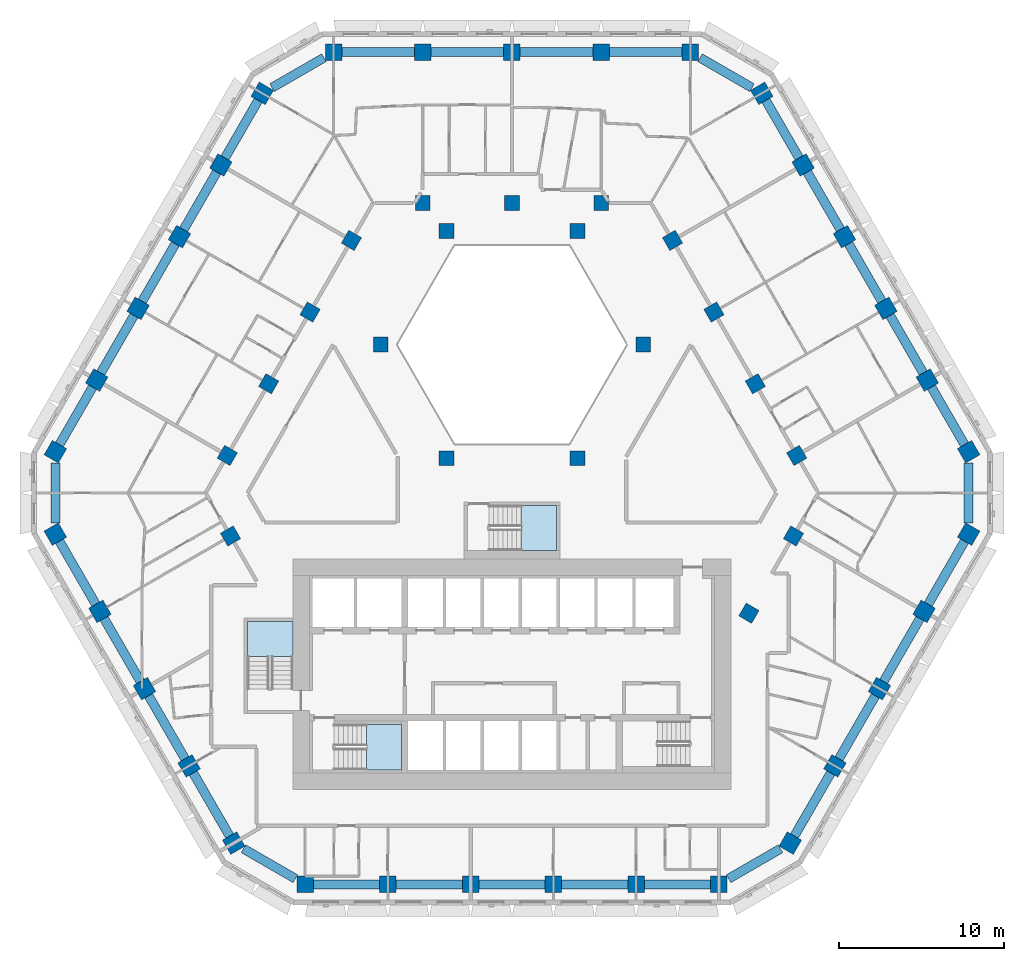
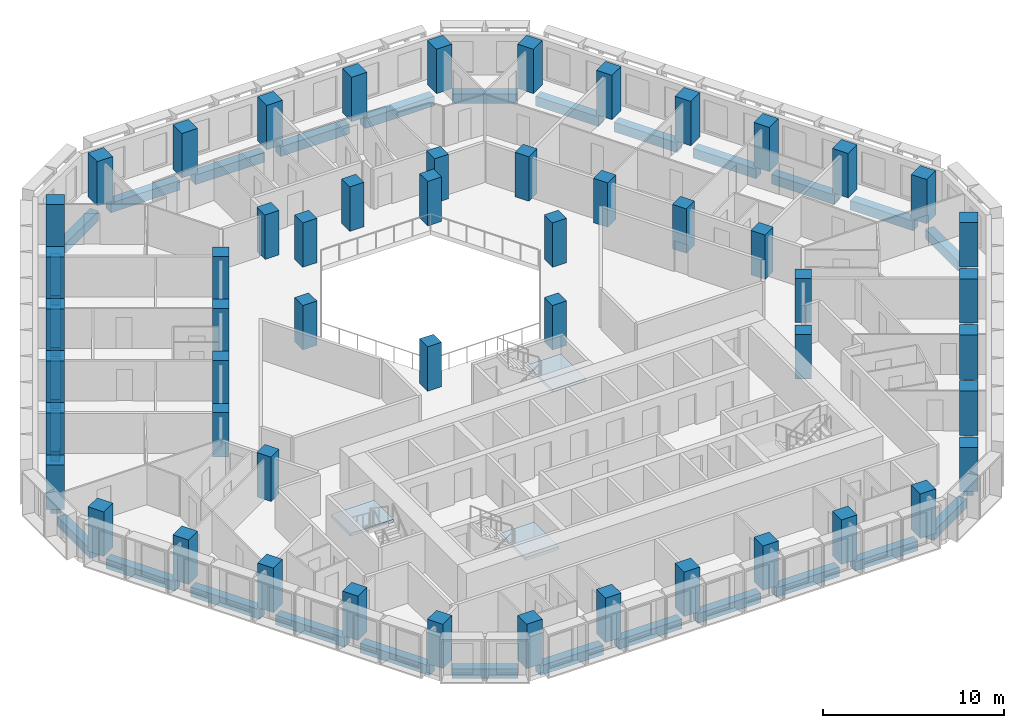
# One storey, part 1 of 18: 53 columns, 33 beams, 3 slabs, 3 elements without a shape of their own.
"""IFC4 building model written with IfcOpenShell, lengths in metres."""

import ifcopenshell
import ifcopenshell.guid

model = None  # the IFC model being written
_history = None  # IfcOwnerHistory: only IFC2X3 demands one
_inside = {}  # id of a spatial element -> (the spatial element, [elements in it])
_under = {}  # id of a project, library or spatial element -> (it, [spatial elements below it])
_declared = {}  # id of a project -> (the project, [libraries it declares])
_typed = {}  # id of a type object -> (the type object, [elements of that type])
_made_of = {}  # id of a material, layer set ... -> (it, [elements and type objects made of it])


def new_model(schema):
    """Start an empty IFC model of exactly this schema.

    Asked for "IFC4X3", IfcOpenShell would pick the latest addendum, in which some entities
    have other attributes; the version numbers below select the first issue.
    IFC2X3 requires an IfcOwnerHistory on every rooted entity: one is made here for all.
    """
    global model, _history
    if schema == "IFC4X3":
        model = ifcopenshell.file(schema_version=(4, 3, 0, 0))
    else:
        model = ifcopenshell.file(schema=schema)
    _inside.clear()
    _under.clear()
    _declared.clear()
    _typed.clear()
    _made_of.clear()
    _history = None
    if model.schema == "IFC2X3":
        org = make("IfcOrganization", Name="unknown")
        user = make(
            "IfcPersonAndOrganization",
            ThePerson=make("IfcPerson", FamilyName="unknown"),
            TheOrganization=org,
        )
        app = make(
            "IfcApplication",
            ApplicationDeveloper=org,
            Version="unknown",
            ApplicationFullName="unknown",
            ApplicationIdentifier="unknown",
        )
        _history = make(
            "IfcOwnerHistory",
            OwningUser=user,
            OwningApplication=app,
            ChangeAction="ADDED",
            CreationDate=0,
        )
    return model


def make(cls, **values):
    """One entity of the class cls with the attributes given. An attribute that is None is left unset."""
    return model.create_entity(
        cls, **{name: value for name, value in values.items() if value is not None}
    )


def rooted(cls, **values):
    """An entity with a GlobalId (a new one), such as an element, a storey or a relation."""
    return make(cls, GlobalId=ifcopenshell.guid.new(), OwnerHistory=_history, **values)


def si_unit(unit_type, name, prefix=None):
    """IfcSIUnit, for example si_unit("LENGTHUNIT", "METRE", prefix="MILLI")."""
    return make("IfcSIUnit", UnitType=unit_type, Prefix=prefix, Name=name)


def assignment(units):
    """IfcUnitAssignment: the units of a project."""
    return None if units is None else make("IfcUnitAssignment", Units=units)


def point(xyz):
    """IfcCartesianPoint."""
    return None if xyz is None else make("IfcCartesianPoint", Coordinates=xyz)


def direction(xyz):
    """IfcDirection."""
    return None if xyz is None else make("IfcDirection", DirectionRatios=xyz)


def frame(location, z_axis=None, x_axis=None):
    """IfcAxis2Placement3D, a coordinate frame: its origin and axes. An axis left out is left unset."""
    return make(
        "IfcAxis2Placement3D",
        Location=point(location),
        Axis=direction(z_axis),
        RefDirection=direction(x_axis),
    )


def frame_2d(location, x_axis=None):
    """IfcAxis2Placement2D, a coordinate frame in the plane: its origin and x axis."""
    return make(
        "IfcAxis2Placement2D", Location=point(location), RefDirection=direction(x_axis)
    )


def origin():
    """The frame at (0, 0, 0) with its axes left unset."""
    return frame((0.0, 0.0, 0.0))


def origin_2d():
    """The frame at (0, 0) in the plane with its x axis left unset."""
    return frame_2d((0.0, 0.0))


def place(relative_to, where):
    """IfcLocalPlacement: puts the frame where relative to a parent placement (None: the world)."""
    return make(
        "IfcLocalPlacement", PlacementRelTo=relative_to, RelativePlacement=where
    )


def context(
    kind, dimensions, precision=None, world=None, true_north=None, identifier=None
):
    """IfcGeometricRepresentationContext, for example the 3D "Model" context."""
    return make(
        "IfcGeometricRepresentationContext",
        ContextIdentifier=identifier,
        ContextType=kind,
        CoordinateSpaceDimension=dimensions,
        Precision=precision,
        WorldCoordinateSystem=world,
        TrueNorth=true_north,
    )


def subcontext(parent, identifier, kind, view, scale=None):
    """IfcGeometricRepresentationSubContext, for example "Body" below "Model"."""
    return make(
        "IfcGeometricRepresentationSubContext",
        ContextIdentifier=identifier,
        ContextType=kind,
        ParentContext=parent,
        TargetScale=scale,
        TargetView=view,
    )


def project(units=None, contexts=None):
    """IfcProject with its units and contexts."""
    return rooted(
        "IfcProject",
        Name="project",
        RepresentationContexts=contexts,
        UnitsInContext=assignment(units),
    )


def spatial(cls, under=None, at=None, **own):
    """A site, building, storey or space (cls), placed at a placement, below another one or the project."""
    s = rooted(cls, ObjectPlacement=at, **own)
    if under is not None:
        _under.setdefault(under.id(), (under, []))[1].append(s)
    return s


def polyline(points):
    """IfcPolyline through the points."""
    return make("IfcPolyline", Points=[point(p) for p in points])


def profile(cls, at=None, kind="AREA", **sizes):
    """A parametric profile (cls). Its sizes go by their IFC names, for example OverallWidth=200.0."""
    return make(cls, ProfileType=kind, Position=at, **sizes)


def rectangle(**sizes):
    """IfcRectangleProfileDef."""
    return profile("IfcRectangleProfileDef", **sizes)


def outline(outer, holes=None, kind="AREA"):
    """IfcArbitraryClosedProfileDef: a profile drawn as a closed curve; with holes, ...WithVoids."""
    if holes is None:
        return make("IfcArbitraryClosedProfileDef", ProfileType=kind, OuterCurve=outer)
    return make(
        "IfcArbitraryProfileDefWithVoids",
        ProfileType=kind,
        OuterCurve=outer,
        InnerCurves=holes,
    )


def extrude(swept, where, along, depth):
    """IfcExtrudedAreaSolid: the profile swept, set in the frame where, extruded along a direction by depth."""
    return make(
        "IfcExtrudedAreaSolid",
        SweptArea=swept,
        Position=where,
        ExtrudedDirection=direction(along),
        Depth=depth,
    )


def shape(context_of_items, identifier, shape_type, items):
    """IfcShapeRepresentation: the items that make up one representation, for example the "Body"."""
    return make(
        "IfcShapeRepresentation",
        ContextOfItems=context_of_items,
        RepresentationIdentifier=identifier,
        RepresentationType=shape_type,
        Items=items,
    )


def material(Name=None, Category=None):
    """IfcMaterial."""
    return make("IfcMaterial", Name=Name, Category=Category)


def layer(
    of_material, thickness, ventilated=None, Name=None, Category=None, Priority=None
):
    """IfcMaterialLayer: one layer of a wall or slab, of a material (None: an air gap)."""
    return make(
        "IfcMaterialLayer",
        Material=of_material,
        LayerThickness=thickness,
        IsVentilated=ventilated,
        Name=Name,
        Category=Category,
        Priority=Priority,
    )


def layer_set(layers, Name=None):
    """IfcMaterialLayerSet."""
    return make("IfcMaterialLayerSet", MaterialLayers=layers, LayerSetName=Name)


def material_profile(
    of_material, cross_section, Name=None, Category=None, Priority=None
):
    """IfcMaterialProfile: a cross section and its material."""
    return make(
        "IfcMaterialProfile",
        Name=Name,
        Material=of_material,
        Profile=cross_section,
        Priority=Priority,
        Category=Category,
    )


def profile_set(profiles, Name=None, composite=None):
    """IfcMaterialProfileSet."""
    return make(
        "IfcMaterialProfileSet",
        Name=Name,
        MaterialProfiles=profiles,
        CompositeProfile=composite,
    )


def made_of(thing, what):
    """Note that an element or type object is made of a material, layer set ...; save() writes the relation."""
    if what is not None:
        _made_of.setdefault(what.id(), (what, []))[1].append(thing)
    return thing


def type_object(cls, material=None, **own):
    """A type object (cls), such as IfcWallType, which elements share."""
    return made_of(rooted(cls, **own), material)


def element(
    cls,
    number,
    at=None,
    inside=None,
    cuts=None,
    type_object=None,
    material=None,
    context=None,
    identifier="Body",
    shape_type=None,
    held_by="IfcProductDefinitionShape",
    body=None,
    shapes=None,
    **own,
):
    """One element of the class cls, such as IfcWall. Its Tag is "e" and its number.

    at: its placement. inside: the storey or other place that contains it. cuts: it is an
    opening in that element (IfcRelVoidsElement). A single representation is given by context,
    identifier, shape_type and body (its items); several are given by shapes. held_by: the class
    of the entity that holds the representations. save() writes the other relations.
    """
    e = rooted(cls, Tag="e%d" % number, ObjectPlacement=at, **own)
    if body is not None:
        shapes = [shape(context, identifier, shape_type, body)]
    if shapes is not None:
        e.Representation = make(held_by, Representations=shapes)
    if inside is not None:
        _inside.setdefault(inside.id(), (inside, []))[1].append(e)
    if cuts is not None:
        rooted(
            "IfcRelVoidsElement", RelatingBuildingElement=cuts, RelatedOpeningElement=e
        )
    if type_object is not None:
        _typed.setdefault(type_object.id(), (type_object, []))[1].append(e)
    return made_of(e, material)


def aggregate(whole, parts):
    """IfcRelAggregates: a whole, such as a stair, and the parts it consists of."""
    return rooted("IfcRelAggregates", RelatingObject=whole, RelatedObjects=parts)


def save(model, path):
    """Write the relations noted so far, then the file.

    IfcRelAggregates (storeys below a building ...), IfcRelContainedInSpatialStructure (elements
    in a storey), IfcRelDefinesByType, IfcRelAssociatesMaterial and IfcRelDeclares: one each for
    every whole, place, type object, material and project.
    """
    for whole, parts in _under.values():
        aggregate(whole, parts)
    for where, things in _inside.values():
        rooted(
            "IfcRelContainedInSpatialStructure",
            RelatedElements=things,
            RelatingStructure=where,
        )
    for kind, things in _typed.values():
        rooted("IfcRelDefinesByType", RelatedObjects=things, RelatingType=kind)
    for what, things in _made_of.values():
        rooted("IfcRelAssociatesMaterial", RelatedObjects=things, RelatingMaterial=what)
    for by, libraries in _declared.values():
        rooted("IfcRelDeclares", RelatingContext=by, RelatedDefinitions=libraries)
    model.write(path)


model = new_model("IFC4")

# Units and contexts
model_context = context("Model", 3, precision=1e-05, world=origin(), true_north=direction((0.0, 1.0)))
body_context = subcontext(model_context, "Body", "Model", "MODEL_VIEW")
ifc_project = project(units=[si_unit("LENGTHUNIT", "METRE"), si_unit("AREAUNIT", "SQUARE_METRE"), si_unit("VOLUMEUNIT", "CUBIC_METRE"), si_unit("PLANEANGLEUNIT", "RADIAN"), si_unit("MASSUNIT", "GRAM", prefix="KILO")], contexts=[model_context])

# Site, building, storey
site_placement = place(None, origin())
site = spatial("IfcSite", under=ifc_project, at=site_placement, CompositionType="ELEMENT")
building_placement = place(site_placement, origin())
building = spatial("IfcBuilding", under=site, at=building_placement, Name="Beryl Residences", CompositionType="ELEMENT")
storey_placement = place(building_placement, frame((0.0, 0.0, 87.0)))
storey = spatial("IfcBuildingStorey", under=building, at=storey_placement, Name="L26", CompositionType="ELEMENT", Elevation=87.0)

# Columns
ifc_material_1 = material(Name="Concrete C70/85", Category="concrete")
ifc_material_profile_1 = material_profile(ifc_material_1, rectangle(XDim=1.0, YDim=1.0, at=origin_2d()))
ifc_profile_set_1 = profile_set([ifc_material_profile_1], Name="Concrete C70/85")
column_type_1 = type_object("IfcColumnType", Name="C2 tube column 1000 x 1000 C70/85", PredefinedType="COLUMN", material=ifc_profile_set_1)
for number, where, z_axis, x_axis, name in (
    (1, (10.824951171875, 25.75, 0.0), (0.0, 0.0, 1.0), (-1.0, 0.0, 0.0), "C2-N1 L26"),
    (2, (5.412109375, 25.75, 0.0), (0.0, 0.0, 1.0), (-1.0, 0.0, 0.0), "C2-N2 L26"),
    (3, (-0.0009765625, 25.75, 0.0), (0.0, 0.0, 1.0), (-1.0, 0.0, 0.0), "C2-N3 L26"),
    (4, (-5.4140625, 25.75, 0.0), (0.0, 0.0, 1.0), (-1.0, 0.0, 0.0), "C2-N4 L26"),
    (5, (-10.826904296875, 25.75, 0.0), (0.0, 0.0, 1.0), (-1.0, 0.0, 0.0), "C2-N5 L26"),
    (6, (-15.155029296875, 23.2509765625, 0.0), (0.0, 0.0, 1.0), (-0.5, -0.866025403784, 0.0), "C2-NW1 L26"),
    (7, (-17.6669921875, 18.89990234375, 0.0), (0.0, 0.0, 1.0), (-0.5, -0.866025403784, 0.0), "C2-NW2 L26"),
    (8, (-20.177978515625, 14.550048828125, 0.0), (0.0, 0.0, 1.0), (-0.5, -0.866025403784, 0.0), "C2-NW3 L26"),
    (9, (-22.68994140625, 10.199951171875, 0.0), (0.0, 0.0, 1.0), (-0.5, -0.866025403784, 0.0), "C2-NW4 L26"),
    (10, (-25.201904296875, 5.85009765625, 0.0), (0.0, 0.0, 1.0), (-0.5, -0.866025403784, 0.0), "C2-NW5 L26"),
    (11, (-27.712890625, 1.5, 0.0), (0.0, 0.0, 1.0), (-0.5, -0.866025403784, 0.0), "C2-NW6 L26"),
    (12, (-27.714111328125, -3.4990234375, 0.0), (0.0, 0.0, 1.0), (0.5, -0.866025403784, 0.0), "C2-SW1 L26"),
    (13, (-25.007080078125, -8.18701171875, 0.0), (0.0, 0.0, 1.0), (0.5, -0.866025403784, 0.0), "C2-SW2 L26"),
    (14, (-22.300048828125, -12.875, 0.0), (0.0, 0.0, 1.0), (0.5, -0.866025403784, 0.0), "C2-SW3 L26"),
    (15, (-19.593994140625, -17.56298828125, 0.0), (0.0, 0.0, 1.0), (0.5, -0.866025403784, 0.0), "C2-SW4 L26"),
    (16, (-16.886962890625, -22.2509765625, 0.0), (0.0, 0.0, 1.0), (0.5, -0.866025403784, 0.0), "C2-SW5 L26"),
    (17, (-12.556884765625, -24.75, 0.0), (0.0, 0.0, 1.0), (1.0, 0.0, 0.0), "C2-S1 L26"),
    (18, (-7.533935546875, -24.75, 0.0), (0.0, 0.0, 1.0), (1.0, 0.0, 0.0), "C2-S2 L26"),
    (19, (-2.510986328125, -24.75, 0.0), (0.0, 0.0, 1.0), (1.0, 0.0, 0.0), "C2-S3 L26"),
    (20, (2.511962890625, -24.75, 0.0), (0.0, 0.0, 1.0), (1.0, 0.0, 0.0), "C2-S4 L26"),
    (21, (7.534912109375, -24.75, 0.0), (0.0, 0.0, 1.0), (1.0, 0.0, 0.0), "C2-S5 L26"),
    (22, (12.55810546875, -24.75, 0.0), (0.0, 0.0, 1.0), (1.0, 0.0, 0.0), "C2-S6 L26"),
    (23, (16.886962890625, -22.2509765625, 0.0), (0.0, 0.0, 1.0), (0.5, 0.866025403784, 0.0), "C2-SE1 L26"),
    (24, (19.593994140625, -17.56298828125, 0.0), (0.0, 0.0, 1.0), (0.5, 0.866025403784, 0.0), "C2-SE2 L26"),
    (25, (22.300048828125, -12.875, 0.0), (0.0, 0.0, 1.0), (0.5, 0.866025403784, 0.0), "C2-SE3 L26"),
    (26, (25.007080078125, -8.18701171875, 0.0), (0.0, 0.0, 1.0), (0.5, 0.866025403784, 0.0), "C2-SE4 L26"),
    (27, (27.714111328125, -3.4990234375, 0.0), (0.0, 0.0, 1.0), (0.5, 0.866025403784, 0.0), "C2-SE5 L26"),
    (28, (27.714111328125, 1.4990234375, 0.0), (0.0, 0.0, 1.0), (-0.5, 0.866025403784, 0.0), "C2-NE1 L26"),
    (29, (25.201904296875, 5.85009765625, 0.0), (0.0, 0.0, 1.0), (-0.5, 0.866025403784, 0.0), "C2-NE2 L26"),
    (30, (22.68994140625, 10.199951171875, 0.0), (0.0, 0.0, 1.0), (-0.5, 0.866025403784, 0.0), "C2-NE3 L26"),
    (31, (20.178955078125, 14.550048828125, 0.0), (0.0, 0.0, 1.0), (-0.5, 0.866025403784, 0.0), "C2-NE4 L26"),
    (32, (17.6669921875, 18.89990234375, 0.0), (0.0, 0.0, 1.0), (-0.5, 0.866025403784, 0.0), "C2-NE5 L26"),
    (33, (15.156005859375, 23.25, 0.0), (0.0, 0.0, 1.0), (-0.5, 0.866025403784, 0.0), "C2-NE6 L26"),
):
    element("IfcColumn", number, at=place(storey_placement, frame(where, z_axis=z_axis, x_axis=x_axis)), inside=storey, type_object=column_type_1, Name=name, PredefinedType="COLUMN", context=body_context, shape_type="SweptSolid", body=[
        extrude(rectangle(XDim=1.0, YDim=1.0, at=origin_2d()), origin(), (0.0, 0.0, 1.0), 3.0),
    ])
ifc_material_2 = material(Name="Concrete C70/85", Category="concrete")
ifc_material_profile_2 = material_profile(ifc_material_2, rectangle(XDim=0.89990234375, YDim=0.89990234375, at=origin_2d()))
ifc_profile_set_2 = profile_set([ifc_material_profile_2], Name="Concrete C70/85")
column_type_2 = type_object("IfcColumnType", Name="IC2 interior column 900 x 900 C70/85", PredefinedType="COLUMN", material=ifc_profile_set_2)
for number, where, z_axis, x_axis, name in (
    (34, (-17.0830078125, -3.612060546875, 0.0), (0.0, 0.0, 1.0), (0.5, -0.866025403784, 0.0), "IC2-M01 L26"),
    (35, (14.3759765625, -8.300048828125, 0.0), (0.0, 0.0, 1.0), (0.5, 0.866025403784, 0.0), "IC2-M02 L26"),
    (36, (17.0830078125, -3.612060546875, 0.0), (0.0, 0.0, 1.0), (0.5, 0.866025403784, 0.0), "IC2-M03 L26"),
    (37, (17.278076171875, 1.27392578125, 0.0), (0.0, 0.0, 1.0), (-0.5, 0.866025403784, 0.0), "IC2-M04 L26"),
    (38, (3.98388671875, 1.10009765625, 0.0), (0.0, 0.0, 1.0), (1.0, 0.0, 0.0), "IC2-A05 L26"),
    (39, (14.76611328125, 5.625, 0.0), (0.0, 0.0, 1.0), (-0.5, 0.866025403784, 0.0), "IC2-M06 L26"),
    (40, (12.2548828125, 9.97509765625, 0.0), (0.0, 0.0, 1.0), (-0.5, 0.866025403784, 0.0), "IC2-M07 L26"),
    (41, (7.967041015625, 8.0, 0.0), (0.0, 0.0, 1.0), (1.0, 0.0, 0.0), "IC2-A08 L26"),
    (42, (9.742919921875, 14.324951171875, 0.0), (0.0, 0.0, 1.0), (-0.5, 0.866025403784, 0.0), "IC2-M09 L26"),
    (43, (5.412109375, 16.60009765625, 0.0), (0.0, 0.0, 1.0), (-1.0, 0.0, 0.0), "IC2-M10 L26"),
    (44, (3.98388671875, 14.89990234375, 0.0), (0.0, 0.0, 1.0), (1.0, 0.0, 0.0), "IC2-A11 L26"),
    (45, (-0.0009765625, 16.60009765625, 0.0), (0.0, 0.0, 1.0), (-1.0, 0.0, 0.0), "IC2-M12 L26"),
    (46, (-3.98388671875, 14.89990234375, 0.0), (0.0, 0.0, 1.0), (1.0, 0.0, 0.0), "IC2-A13 L26"),
    (47, (-5.4140625, 16.60009765625, 0.0), (0.0, 0.0, 1.0), (-1.0, 0.0, 0.0), "IC2-M14 L26"),
    (48, (-9.742919921875, 14.324951171875, 0.0), (0.0, 0.0, 1.0), (-0.5, -0.866025403784, 0.0), "IC2-M15 L26"),
    (49, (-7.967041015625, 8.0, 0.0), (0.0, 0.0, 1.0), (1.0, 0.0, 0.0), "IC2-A16 L26"),
    (50, (-12.25390625, 9.97509765625, 0.0), (0.0, 0.0, 1.0), (-0.5, -0.866025403784, 0.0), "IC2-M17 L26"),
    (51, (-14.76611328125, 5.625, 0.0), (0.0, 0.0, 1.0), (-0.5, -0.866025403784, 0.0), "IC2-M18 L26"),
    (52, (-3.98388671875, 1.10009765625, 0.0), (0.0, 0.0, 1.0), (1.0, 0.0, 0.0), "IC2-A19 L26"),
    (53, (-17.277099609375, 1.27490234375, 0.0), (0.0, 0.0, 1.0), (-0.5, -0.866025403784, 0.0), "IC2-M20 L26"),
):
    element("IfcColumn", number, at=place(storey_placement, frame(where, z_axis=z_axis, x_axis=x_axis)), inside=storey, type_object=column_type_2, Name=name, PredefinedType="COLUMN", context=body_context, shape_type="SweptSolid", body=[
        extrude(rectangle(XDim=0.89990234375, YDim=0.89990234375, at=origin_2d()), origin(), (0.0, 0.0, 1.0), 3.0),
    ])

# Beams
ifc_material_3 = material(Name="Concrete C70/85", Category="concrete")
ifc_material_profile_3 = material_profile(ifc_material_3, rectangle(XDim=0.550048828125, YDim=0.64990234375, at=origin_2d()))
ifc_profile_set_3 = profile_set([ifc_material_profile_3], Name="Concrete C70/85")
beam_type = type_object("IfcBeamType", Name="SB2 spandrel beam 550 x 650 C70/85", PredefinedType="SPANDREL", material=ifc_profile_set_3)
beam_1_placement = place(storey_placement, frame((10.324951171875, 25.75, -0.625), z_axis=(-1.0, 0.0, 0.0), x_axis=(0.0, -1.0, 0.0)))
element("IfcBeam", 54, at=beam_1_placement, inside=storey, type_object=beam_type, Name="SB2 L26 N-0", PredefinedType="SPANDREL", context=body_context, shape_type="SweptSolid", body=[
    extrude(rectangle(XDim=0.550048828125, YDim=0.64990234375, at=origin_2d()), origin(), (0.0, 0.0, 1.0), 4.412841796875),
])
for number, where, z_axis, x_axis, name in (
    (55, (4.912109375, 25.75, -0.625), (-1.0, 0.0, 0.0), (0.0, -1.0, 0.0), "SB2 L26 N-1"),
    (56, (-0.5009765625, 25.75, -0.625), (-1.0, 0.0, 0.0), (0.0, -1.0, 0.0), "SB2 L26 N-2"),
):
    element("IfcBeam", number, at=place(storey_placement, frame(where, z_axis=z_axis, x_axis=x_axis)), inside=storey, type_object=beam_type, Name=name, PredefinedType="SPANDREL", context=body_context, shape_type="SweptSolid", body=[
        extrude(rectangle(XDim=0.550048828125, YDim=0.64990234375, at=origin_2d()), origin(), (0.0, 0.0, 1.0), 4.4130859375),
    ])
beam_2_placement = place(storey_placement, frame((-5.9140625, 25.75, -0.625), z_axis=(-1.0, 0.0, 0.0), x_axis=(0.0, -1.0, 0.0)))
element("IfcBeam", 57, at=beam_2_placement, inside=storey, type_object=beam_type, Name="SB2 L26 N-3", PredefinedType="SPANDREL", context=body_context, shape_type="SweptSolid", body=[
    extrude(rectangle(XDim=0.550048828125, YDim=0.64990234375, at=origin_2d()), origin(), (0.0, 0.0, 1.0), 4.412841796875),
])
beam_3_placement = place(storey_placement, frame((-11.41796875, 25.408935546875, -0.625), z_axis=(-0.865959503272, -0.500114125668, 0.0), x_axis=(0.500114125668, -0.865959503272, 0.0)))
element("IfcBeam", 58, at=beam_3_placement, inside=storey, type_object=beam_type, Name="SB2 L26 N-4", PredefinedType="SPANDREL", context=body_context, shape_type="SweptSolid", body=[
    extrude(rectangle(XDim=0.550048828125, YDim=0.64990234375, at=origin_2d()), origin(), (0.0, 0.0, 1.0), 3.633056640625),
])
beam_4_placement = place(storey_placement, frame((-15.405029296875, 22.818115234375, -0.625), z_axis=(-0.49996928203, -0.866043138087, 0.0), x_axis=(0.866043138087, -0.49996928203, 0.0)))
element("IfcBeam", 59, at=beam_4_placement, inside=storey, type_object=beam_type, Name="SB2 L26 NW-0", PredefinedType="SPANDREL", context=body_context, shape_type="SweptSolid", body=[
    extrude(rectangle(XDim=0.550048828125, YDim=0.64990234375, at=origin_2d()), origin(), (0.0, 0.0, 1.0), 4.024169921875),
])
beam_5_placement = place(storey_placement, frame((-17.9169921875, 18.467041015625, -0.625), z_axis=(-0.499892318183, -0.866087564985, 0.0), x_axis=(0.866087564985, -0.499892318183, 0.0)))
element("IfcBeam", 60, at=beam_5_placement, inside=storey, type_object=beam_type, Name="SB2 L26 NW-1", PredefinedType="SPANDREL", context=body_context, shape_type="SweptSolid", body=[
    extrude(rectangle(XDim=0.550048828125, YDim=0.64990234375, at=origin_2d()), origin(), (0.0, 0.0, 1.0), 4.02294921875),
])
beam_6_placement = place(storey_placement, frame((-20.427978515625, 14.116943359375, -0.625), z_axis=(-0.500100656611, -0.865967281863, 0.0), x_axis=(0.865967281863, -0.500100656611, 0.0)))
element("IfcBeam", 61, at=beam_6_placement, inside=storey, type_object=beam_type, Name="SB2 L26 NW-2", PredefinedType="SPANDREL", context=body_context, shape_type="SweptSolid", body=[
    extrude(rectangle(XDim=0.550048828125, YDim=0.64990234375, at=origin_2d()), origin(), (0.0, 0.0, 1.0), 4.023193359375),
])
beam_7_placement = place(storey_placement, frame((-22.93994140625, 9.76708984375, -0.625), z_axis=(-0.500074377092, -0.865982457891, 0.0), x_axis=(0.865982457891, -0.500074377092, 0.0)))
element("IfcBeam", 62, at=beam_7_placement, inside=storey, type_object=beam_type, Name="SB2 L26 NW-3", PredefinedType="SPANDREL", context=body_context, shape_type="SweptSolid", body=[
    extrude(rectangle(XDim=0.550048828125, YDim=0.64990234375, at=origin_2d()), origin(), (0.0, 0.0, 1.0), 4.0234375),
])
beam_8_placement = place(storey_placement, frame((-25.451904296875, 5.4169921875, -0.625), z_axis=(-0.499918594511, -0.866072398164, 0.0), x_axis=(0.866072398164, -0.499918594511, 0.0)))
element("IfcBeam", 63, at=beam_8_placement, inside=storey, type_object=beam_type, Name="SB2 L26 NW-4", PredefinedType="SPANDREL", context=body_context, shape_type="SweptSolid", body=[
    extrude(rectangle(XDim=0.550048828125, YDim=0.64990234375, at=origin_2d()), origin(), (0.0, 0.0, 1.0), 4.022705078125),
])
beam_9_placement = place(storey_placement, frame((-27.712890625, 0.81689453125, -0.625), z_axis=(-0.000336021486, -0.999999943545, 0.0), x_axis=(0.999999943545, -0.000336021486, 0.0)))
element("IfcBeam", 64, at=beam_9_placement, inside=storey, type_object=beam_type, Name="SB2 L26 NW-5", PredefinedType="SPANDREL", context=body_context, shape_type="SweptSolid", body=[
    extrude(rectangle(XDim=0.550048828125, YDim=0.64990234375, at=origin_2d()), origin(), (0.0, 0.0, 1.0), 3.6328125),
])
beam_10_placement = place(storey_placement, frame((-27.464111328125, -3.931884765625, -0.625), z_axis=(0.50006561292, -0.865987518834, 0.0), x_axis=(0.865987518834, 0.50006561292, 0.0)))
element("IfcBeam", 65, at=beam_10_placement, inside=storey, type_object=beam_type, Name="SB2 L26 SW-0", PredefinedType="SPANDREL", context=body_context, shape_type="SweptSolid", body=[
    extrude(rectangle(XDim=0.550048828125, YDim=0.64990234375, at=origin_2d()), origin(), (0.0, 0.0, 1.0), 4.41357421875),
])
beam_11_placement = place(storey_placement, frame((-24.757080078125, -8.6201171875, -0.625), z_axis=(0.500089568931, -0.865973684962, 0.0), x_axis=(0.865973684962, 0.500089568931, 0.0)))
element("IfcBeam", 66, at=beam_11_placement, inside=storey, type_object=beam_type, Name="SB2 L26 SW-1", PredefinedType="SPANDREL", context=body_context, shape_type="SweptSolid", body=[
    extrude(rectangle(XDim=0.550048828125, YDim=0.64990234375, at=origin_2d()), origin(), (0.0, 0.0, 1.0), 4.413330078125),
])
beam_12_placement = place(storey_placement, frame((-22.050048828125, -13.30810546875, -0.625), z_axis=(0.49992360228, -0.866069507536, 0.0), x_axis=(0.866069507536, 0.49992360228, 0.0)))
element("IfcBeam", 67, at=beam_12_placement, inside=storey, type_object=beam_type, Name="SB2 L26 SW-2", PredefinedType="SPANDREL", context=body_context, shape_type="SweptSolid", body=[
    extrude(rectangle(XDim=0.550048828125, YDim=0.64990234375, at=origin_2d()), origin(), (0.0, 0.0, 1.0), 4.412841796875),
])
beam_13_placement = place(storey_placement, frame((-19.343994140625, -17.99609375, -0.625), z_axis=(0.50006561292, -0.865987518834, 0.0), x_axis=(0.865987518834, 0.50006561292, 0.0)))
element("IfcBeam", 68, at=beam_13_placement, inside=storey, type_object=beam_type, Name="SB2 L26 SW-3", PredefinedType="SPANDREL", context=body_context, shape_type="SweptSolid", body=[
    extrude(rectangle(XDim=0.550048828125, YDim=0.64990234375, at=origin_2d()), origin(), (0.0, 0.0, 1.0), 4.41357421875),
])
beam_14_placement = place(storey_placement, frame((-16.2958984375, -22.592041015625, -0.625), z_axis=(0.866093873939, -0.499881387456, 0.0), x_axis=(0.499881387456, 0.866093873939, 0.0)))
element("IfcBeam", 69, at=beam_14_placement, inside=storey, type_object=beam_type, Name="SB2 L26 SW-4", PredefinedType="SPANDREL", context=body_context, shape_type="SweptSolid", body=[
    extrude(rectangle(XDim=0.550048828125, YDim=0.64990234375, at=origin_2d()), origin(), (0.0, 0.0, 1.0), 3.634765625),
])
for number, where, z_axis, x_axis, name in (
    (70, (-12.056884765625, -24.75, -0.625), (1.0, 0.0, 0.0), (0.0, 1.0, 0.0), "SB2 L26 S-0"),
    (71, (-7.033935546875, -24.75, -0.625), (1.0, 0.0, 0.0), (0.0, 1.0, 0.0), "SB2 L26 S-1"),
    (72, (-2.010986328125, -24.75, -0.625), (1.0, 0.0, 0.0), (0.0, 1.0, 0.0), "SB2 L26 S-2"),
    (73, (3.011962890625, -24.75, -0.625), (1.0, 0.0, 0.0), (0.0, 1.0, 0.0), "SB2 L26 S-3"),
):
    element("IfcBeam", number, at=place(storey_placement, frame(where, z_axis=z_axis, x_axis=x_axis)), inside=storey, type_object=beam_type, Name=name, PredefinedType="SPANDREL", context=body_context, shape_type="SweptSolid", body=[
        extrude(rectangle(XDim=0.550048828125, YDim=0.64990234375, at=origin_2d()), origin(), (0.0, 0.0, 1.0), 4.02294921875),
    ])
beam_15_placement = place(storey_placement, frame((8.034912109375, -24.75, -0.625), z_axis=(1.0, 0.0, 0.0), x_axis=(0.0, 1.0, 0.0)))
element("IfcBeam", 74, at=beam_15_placement, inside=storey, type_object=beam_type, Name="SB2 L26 S-4", PredefinedType="SPANDREL", context=body_context, shape_type="SweptSolid", body=[
    extrude(rectangle(XDim=0.550048828125, YDim=0.64990234375, at=origin_2d()), origin(), (0.0, 0.0, 1.0), 4.023193359375),
])
beam_16_placement = place(storey_placement, frame((13.14892578125, -24.408935546875, -0.625), z_axis=(0.866026712061, 0.499997733992, 0.0), x_axis=(-0.499997733992, 0.866026712061, 0.0)))
element("IfcBeam", 75, at=beam_16_placement, inside=storey, type_object=beam_type, Name="SB2 L26 S-5", PredefinedType="SPANDREL", context=body_context, shape_type="SweptSolid", body=[
    extrude(rectangle(XDim=0.550048828125, YDim=0.64990234375, at=origin_2d()), origin(), (0.0, 0.0, 1.0), 3.6337890625),
])
beam_17_placement = place(storey_placement, frame((17.136962890625, -21.818115234375, -0.625), z_axis=(0.50006561292, 0.865987518834, 0.0), x_axis=(-0.865987518834, 0.50006561292, 0.0)))
element("IfcBeam", 76, at=beam_17_placement, inside=storey, type_object=beam_type, Name="SB2 L26 SE-0", PredefinedType="SPANDREL", context=body_context, shape_type="SweptSolid", body=[
    extrude(rectangle(XDim=0.550048828125, YDim=0.64990234375, at=origin_2d()), origin(), (0.0, 0.0, 1.0), 4.41357421875),
])
beam_18_placement = place(storey_placement, frame((19.843994140625, -17.1298828125, -0.625), z_axis=(0.49992360228, 0.866069507536, 0.0), x_axis=(-0.866069507536, 0.49992360228, 0.0)))
element("IfcBeam", 77, at=beam_18_placement, inside=storey, type_object=beam_type, Name="SB2 L26 SE-1", PredefinedType="SPANDREL", context=body_context, shape_type="SweptSolid", body=[
    extrude(rectangle(XDim=0.550048828125, YDim=0.64990234375, at=origin_2d()), origin(), (0.0, 0.0, 1.0), 4.412841796875),
])
beam_19_placement = place(storey_placement, frame((22.550048828125, -12.44189453125, -0.625), z_axis=(0.500089568931, 0.865973684962, 0.0), x_axis=(-0.865973684962, 0.500089568931, 0.0)))
element("IfcBeam", 78, at=beam_19_placement, inside=storey, type_object=beam_type, Name="SB2 L26 SE-2", PredefinedType="SPANDREL", context=body_context, shape_type="SweptSolid", body=[
    extrude(rectangle(XDim=0.550048828125, YDim=0.64990234375, at=origin_2d()), origin(), (0.0, 0.0, 1.0), 4.413330078125),
])
beam_20_placement = place(storey_placement, frame((25.257080078125, -7.75390625, -0.625), z_axis=(0.50006561292, 0.865987518834, 0.0), x_axis=(-0.865987518834, 0.50006561292, 0.0)))
element("IfcBeam", 79, at=beam_20_placement, inside=storey, type_object=beam_type, Name="SB2 L26 SE-3", PredefinedType="SPANDREL", context=body_context, shape_type="SweptSolid", body=[
    extrude(rectangle(XDim=0.550048828125, YDim=0.64990234375, at=origin_2d()), origin(), (0.0, 0.0, 1.0), 4.41357421875),
])
beam_21_placement = place(storey_placement, frame((27.714111328125, -2.81591796875, -0.625), z_axis=(0.0, 1.0, 0.0), x_axis=(-1.0, 0.0, 0.0)))
element("IfcBeam", 80, at=beam_21_placement, inside=storey, type_object=beam_type, Name="SB2 L26 SE-4", PredefinedType="SPANDREL", context=body_context, shape_type="SweptSolid", body=[
    extrude(rectangle(XDim=0.550048828125, YDim=0.64990234375, at=origin_2d()), origin(), (0.0, 0.0, 1.0), 3.6318359375),
])
beam_22_placement = place(storey_placement, frame((27.464111328125, 1.931884765625, -0.625), z_axis=(-0.500014783214, 0.866016868524, 0.0), x_axis=(-0.866016868524, -0.500014783214, 0.0)))
element("IfcBeam", 81, at=beam_22_placement, inside=storey, type_object=beam_type, Name="SB2 L26 NE-0", PredefinedType="SPANDREL", context=body_context, shape_type="SweptSolid", body=[
    extrude(rectangle(XDim=0.550048828125, YDim=0.64990234375, at=origin_2d()), origin(), (0.0, 0.0, 1.0), 4.0244140625),
])
beam_23_placement = place(storey_placement, frame((24.951904296875, 6.282958984375, -0.625), z_axis=(-0.500074377092, 0.865982457891, 0.0), x_axis=(-0.865982457891, -0.500074377092, 0.0)))
element("IfcBeam", 82, at=beam_23_placement, inside=storey, type_object=beam_type, Name="SB2 L26 NE-1", PredefinedType="SPANDREL", context=body_context, shape_type="SweptSolid", body=[
    extrude(rectangle(XDim=0.550048828125, YDim=0.64990234375, at=origin_2d()), origin(), (0.0, 0.0, 1.0), 4.0234375),
])
beam_24_placement = place(storey_placement, frame((22.43994140625, 10.633056640625, -0.625), z_axis=(-0.499918594511, 0.866072398164, 0.0), x_axis=(-0.866072398164, -0.499918594511, 0.0)))
element("IfcBeam", 83, at=beam_24_placement, inside=storey, type_object=beam_type, Name="SB2 L26 NE-2", PredefinedType="SPANDREL", context=body_context, shape_type="SweptSolid", body=[
    extrude(rectangle(XDim=0.550048828125, YDim=0.64990234375, at=origin_2d()), origin(), (0.0, 0.0, 1.0), 4.022705078125),
])
beam_25_placement = place(storey_placement, frame((19.928955078125, 14.98291015625, -0.625), z_axis=(-0.500074377092, 0.865982457891, 0.0), x_axis=(-0.865982457891, -0.500074377092, 0.0)))
element("IfcBeam", 84, at=beam_25_placement, inside=storey, type_object=beam_type, Name="SB2 L26 NE-3", PredefinedType="SPANDREL", context=body_context, shape_type="SweptSolid", body=[
    extrude(rectangle(XDim=0.550048828125, YDim=0.64990234375, at=origin_2d()), origin(), (0.0, 0.0, 1.0), 4.0234375),
])
beam_26_placement = place(storey_placement, frame((17.4169921875, 19.3330078125, -0.625), z_axis=(-0.499918594511, 0.866072398164, 0.0), x_axis=(-0.866072398164, -0.499918594511, 0.0)))
element("IfcBeam", 85, at=beam_26_placement, inside=storey, type_object=beam_type, Name="SB2 L26 NE-4", PredefinedType="SPANDREL", context=body_context, shape_type="SweptSolid", body=[
    extrude(rectangle(XDim=0.550048828125, YDim=0.64990234375, at=origin_2d()), origin(), (0.0, 0.0, 1.0), 4.022705078125),
])
beam_27_placement = place(storey_placement, frame((14.56494140625, 23.591064453125, -0.625), z_axis=(-0.866044702259, 0.499966572571, 0.0), x_axis=(-0.499966572571, -0.866044702259, 0.0)))
element("IfcBeam", 86, at=beam_27_placement, inside=storey, type_object=beam_type, Name="SB2 L26 NE-5", PredefinedType="SPANDREL", context=body_context, shape_type="SweptSolid", body=[
    extrude(rectangle(XDim=0.550048828125, YDim=0.64990234375, at=origin_2d()), origin(), (0.0, 0.0, 1.0), 3.635986328125),
])

# Stair, slab
ifc_material_4 = material(Name="Concrete C40/50", Category="concrete")
stair_type = type_object("IfcStairType", Name="ST1 protected exit stair, half-turn, 1300 mm flights", PredefinedType="HALF_TURN_STAIR", material=ifc_material_4)
stair_1_placement = place(storey_placement, origin())
stair_1 = element("IfcStair", 87, at=stair_1_placement, inside=storey, type_object=stair_type, Name="L26 PROTECTED EXIT STAIR ST-1", PredefinedType="HALF_TURN_STAIR")
ifc_material_5 = material(Name="Concrete C40/50", Category="concrete")
ifc_layer = layer(ifc_material_5, 0.199951171875)
ifc_layer_set = layer_set([ifc_layer], Name="SLD1 stair landing 200 mm")
slab_type = type_object("IfcSlabType", Name="SLD1 stair landing 200 mm", PredefinedType="LANDING", material=ifc_layer_set)
slab_1_placement = place(storey_placement, frame((0.0, 0.0, 1.300048828125)))
slab_1 = element("IfcSlab", 88, at=slab_1_placement, type_object=slab_type, Name="ST-1 landing 1", PredefinedType="LANDING", context=body_context, shape_type="SweptSolid", body=[
    extrude(outline(polyline([(-8.840087890625, -17.800048828125), (-6.699951171875, -17.800048828125), (-6.699951171875, -15.050048828125), (-8.840087890625, -15.050048828125), (-8.840087890625, -17.800048828125)])), origin(), (0.0, 0.0, 1.0), 0.199951171875),
])
aggregate(stair_1, [slab_1])

stair_2_placement = place(storey_placement, origin())
stair_2 = element("IfcStair", 89, at=stair_2_placement, inside=storey, type_object=stair_type, Name="L26 PROTECTED EXIT STAIR ST-2", PredefinedType="HALF_TURN_STAIR")
slab_2_placement = place(storey_placement, frame((0.0, 0.0, 1.300048828125)))
slab_2 = element("IfcSlab", 90, at=slab_2_placement, type_object=slab_type, Name="ST-2 landing 1", PredefinedType="LANDING", context=body_context, shape_type="SweptSolid", body=[
    extrude(outline(polyline([(-13.300048828125, -10.93994140625), (-13.300048828125, -8.800048828125), (-16.050048828125, -8.800048828125), (-16.050048828125, -10.93994140625), (-13.300048828125, -10.93994140625)])), origin(), (0.0, 0.0, 1.0), 0.199951171875),
])
aggregate(stair_2, [slab_2])

stair_3_placement = place(storey_placement, origin())
stair_3 = element("IfcStair", 91, at=stair_3_placement, inside=storey, type_object=stair_type, Name="L26 PROTECTED EXIT STAIR ST-4", PredefinedType="HALF_TURN_STAIR")
slab_3_placement = place(storey_placement, frame((0.0, 0.0, 1.300048828125)))
slab_3 = element("IfcSlab", 92, at=slab_3_placement, type_object=slab_type, Name="ST-4 landing 1", PredefinedType="LANDING", context=body_context, shape_type="SweptSolid", body=[
    extrude(outline(polyline([(0.56005859375, -4.5), (2.699951171875, -4.5), (2.699951171875, -1.75), (0.56005859375, -1.75), (0.56005859375, -4.5)])), origin(), (0.0, 0.0, 1.0), 0.199951171875),
])
aggregate(stair_3, [slab_3])

save(model, "model.ifc")
